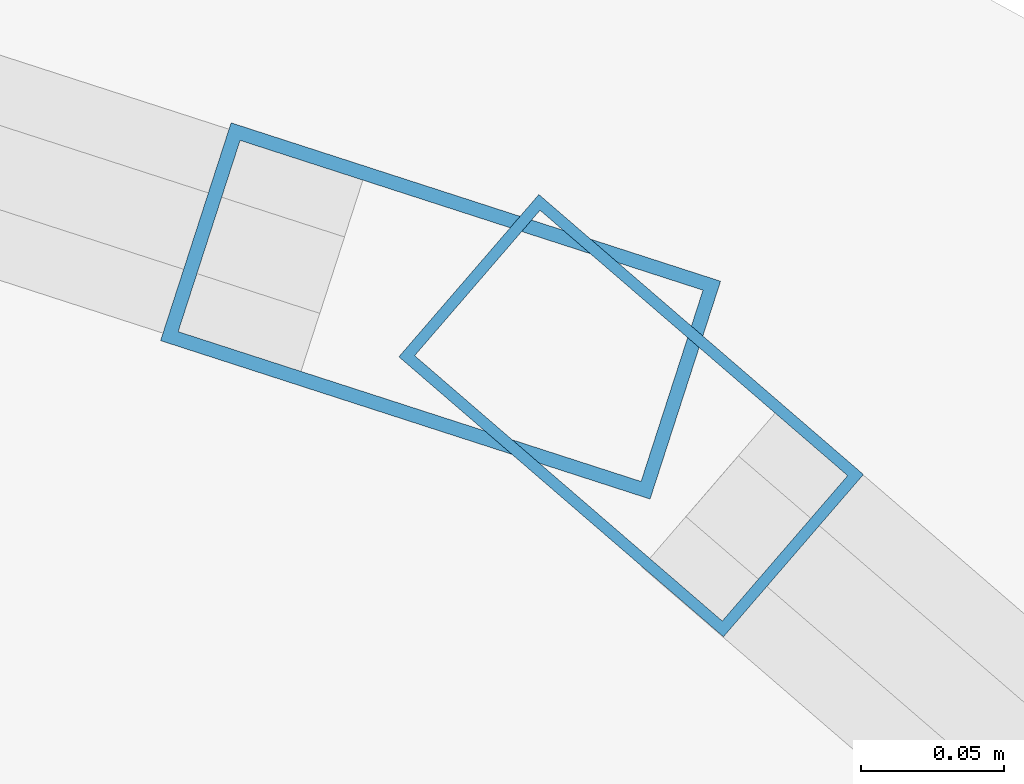
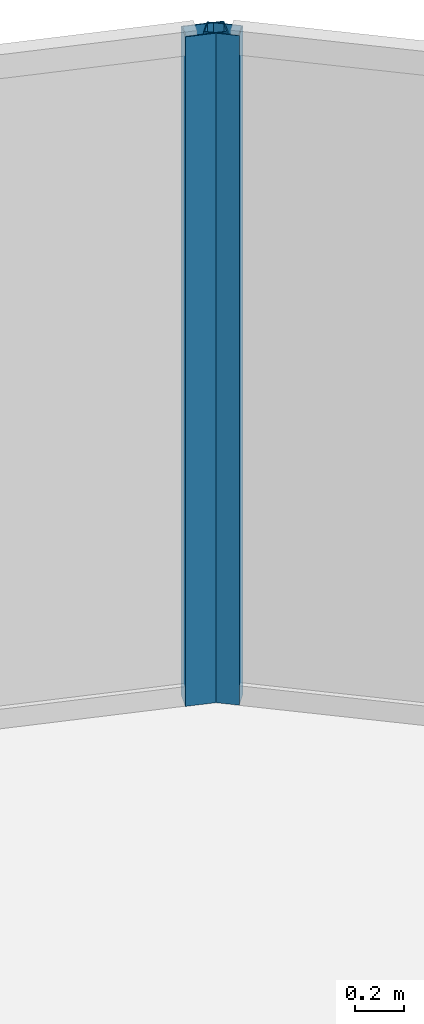
# One storey, part 19 of 33: 2 members, 2 elements without a shape of their own.
"""IFC4 building model written with IfcOpenShell, lengths in metres."""

import ifcopenshell
import ifcopenshell.guid

model = None  # the IFC model being written
_history = None  # IfcOwnerHistory: only IFC2X3 demands one
_inside = {}  # id of a spatial element -> (the spatial element, [elements in it])
_under = {}  # id of a project, library or spatial element -> (it, [spatial elements below it])
_declared = {}  # id of a project -> (the project, [libraries it declares])
_typed = {}  # id of a type object -> (the type object, [elements of that type])
_made_of = {}  # id of a material, layer set ... -> (it, [elements and type objects made of it])


def new_model(schema):
    """Start an empty IFC model of exactly this schema.

    Asked for "IFC4X3", IfcOpenShell would pick the latest addendum, in which some entities
    have other attributes; the version numbers below select the first issue.
    IFC2X3 requires an IfcOwnerHistory on every rooted entity: one is made here for all.
    """
    global model, _history
    if schema == "IFC4X3":
        model = ifcopenshell.file(schema_version=(4, 3, 0, 0))
    else:
        model = ifcopenshell.file(schema=schema)
    _inside.clear()
    _under.clear()
    _declared.clear()
    _typed.clear()
    _made_of.clear()
    _history = None
    if model.schema == "IFC2X3":
        org = make("IfcOrganization", Name="unknown")
        user = make(
            "IfcPersonAndOrganization",
            ThePerson=make("IfcPerson", FamilyName="unknown"),
            TheOrganization=org,
        )
        app = make(
            "IfcApplication",
            ApplicationDeveloper=org,
            Version="unknown",
            ApplicationFullName="unknown",
            ApplicationIdentifier="unknown",
        )
        _history = make(
            "IfcOwnerHistory",
            OwningUser=user,
            OwningApplication=app,
            ChangeAction="ADDED",
            CreationDate=0,
        )
    return model


def make(cls, **values):
    """One entity of the class cls with the attributes given. An attribute that is None is left unset."""
    return model.create_entity(
        cls, **{name: value for name, value in values.items() if value is not None}
    )


def rooted(cls, **values):
    """An entity with a GlobalId (a new one), such as an element, a storey or a relation."""
    return make(cls, GlobalId=ifcopenshell.guid.new(), OwnerHistory=_history, **values)


def si_unit(unit_type, name, prefix=None):
    """IfcSIUnit, for example si_unit("LENGTHUNIT", "METRE", prefix="MILLI")."""
    return make("IfcSIUnit", UnitType=unit_type, Prefix=prefix, Name=name)


def assignment(units):
    """IfcUnitAssignment: the units of a project."""
    return None if units is None else make("IfcUnitAssignment", Units=units)


def point(xyz):
    """IfcCartesianPoint."""
    return None if xyz is None else make("IfcCartesianPoint", Coordinates=xyz)


def direction(xyz):
    """IfcDirection."""
    return None if xyz is None else make("IfcDirection", DirectionRatios=xyz)


def frame(location, z_axis=None, x_axis=None):
    """IfcAxis2Placement3D, a coordinate frame: its origin and axes. An axis left out is left unset."""
    return make(
        "IfcAxis2Placement3D",
        Location=point(location),
        Axis=direction(z_axis),
        RefDirection=direction(x_axis),
    )


def frame_2d(location, x_axis=None):
    """IfcAxis2Placement2D, a coordinate frame in the plane: its origin and x axis."""
    return make(
        "IfcAxis2Placement2D", Location=point(location), RefDirection=direction(x_axis)
    )


def origin():
    """The frame at (0, 0, 0) with its axes left unset."""
    return frame((0.0, 0.0, 0.0))


def origin_2d():
    """The frame at (0, 0) in the plane with its x axis left unset."""
    return frame_2d((0.0, 0.0))


def place(relative_to, where):
    """IfcLocalPlacement: puts the frame where relative to a parent placement (None: the world)."""
    return make(
        "IfcLocalPlacement", PlacementRelTo=relative_to, RelativePlacement=where
    )


def context(
    kind, dimensions, precision=None, world=None, true_north=None, identifier=None
):
    """IfcGeometricRepresentationContext, for example the 3D "Model" context."""
    return make(
        "IfcGeometricRepresentationContext",
        ContextIdentifier=identifier,
        ContextType=kind,
        CoordinateSpaceDimension=dimensions,
        Precision=precision,
        WorldCoordinateSystem=world,
        TrueNorth=true_north,
    )


def subcontext(parent, identifier, kind, view, scale=None):
    """IfcGeometricRepresentationSubContext, for example "Body" below "Model"."""
    return make(
        "IfcGeometricRepresentationSubContext",
        ContextIdentifier=identifier,
        ContextType=kind,
        ParentContext=parent,
        TargetScale=scale,
        TargetView=view,
    )


def project(units=None, contexts=None):
    """IfcProject with its units and contexts."""
    return rooted(
        "IfcProject",
        Name="project",
        RepresentationContexts=contexts,
        UnitsInContext=assignment(units),
    )


def spatial(cls, under=None, at=None, **own):
    """A site, building, storey or space (cls), placed at a placement, below another one or the project."""
    s = rooted(cls, ObjectPlacement=at, **own)
    if under is not None:
        _under.setdefault(under.id(), (under, []))[1].append(s)
    return s


def profile(cls, at=None, kind="AREA", **sizes):
    """A parametric profile (cls). Its sizes go by their IFC names, for example OverallWidth=200.0."""
    return make(cls, ProfileType=kind, Position=at, **sizes)


def hollow_rectangle(**sizes):
    """IfcRectangleHollowProfileDef."""
    return profile("IfcRectangleHollowProfileDef", **sizes)


def extrude(swept, where, along, depth):
    """IfcExtrudedAreaSolid: the profile swept, set in the frame where, extruded along a direction by depth."""
    return make(
        "IfcExtrudedAreaSolid",
        SweptArea=swept,
        Position=where,
        ExtrudedDirection=direction(along),
        Depth=depth,
    )


def shape(context_of_items, identifier, shape_type, items):
    """IfcShapeRepresentation: the items that make up one representation, for example the "Body"."""
    return make(
        "IfcShapeRepresentation",
        ContextOfItems=context_of_items,
        RepresentationIdentifier=identifier,
        RepresentationType=shape_type,
        Items=items,
    )


def material(Name=None, Category=None):
    """IfcMaterial."""
    return make("IfcMaterial", Name=Name, Category=Category)


def layer(
    of_material, thickness, ventilated=None, Name=None, Category=None, Priority=None
):
    """IfcMaterialLayer: one layer of a wall or slab, of a material (None: an air gap)."""
    return make(
        "IfcMaterialLayer",
        Material=of_material,
        LayerThickness=thickness,
        IsVentilated=ventilated,
        Name=Name,
        Category=Category,
        Priority=Priority,
    )


def layer_set(layers, Name=None):
    """IfcMaterialLayerSet."""
    return make("IfcMaterialLayerSet", MaterialLayers=layers, LayerSetName=Name)


def material_profile(
    of_material, cross_section, Name=None, Category=None, Priority=None
):
    """IfcMaterialProfile: a cross section and its material."""
    return make(
        "IfcMaterialProfile",
        Name=Name,
        Material=of_material,
        Profile=cross_section,
        Priority=Priority,
        Category=Category,
    )


def profile_set(profiles, Name=None, composite=None):
    """IfcMaterialProfileSet."""
    return make(
        "IfcMaterialProfileSet",
        Name=Name,
        MaterialProfiles=profiles,
        CompositeProfile=composite,
    )


def made_of(thing, what):
    """Note that an element or type object is made of a material, layer set ...; save() writes the relation."""
    if what is not None:
        _made_of.setdefault(what.id(), (what, []))[1].append(thing)
    return thing


def type_object(cls, material=None, **own):
    """A type object (cls), such as IfcWallType, which elements share."""
    return made_of(rooted(cls, **own), material)


def element(
    cls,
    number,
    at=None,
    inside=None,
    cuts=None,
    type_object=None,
    material=None,
    context=None,
    identifier="Body",
    shape_type=None,
    held_by="IfcProductDefinitionShape",
    body=None,
    shapes=None,
    **own,
):
    """One element of the class cls, such as IfcWall. Its Tag is "e" and its number.

    at: its placement. inside: the storey or other place that contains it. cuts: it is an
    opening in that element (IfcRelVoidsElement). A single representation is given by context,
    identifier, shape_type and body (its items); several are given by shapes. held_by: the class
    of the entity that holds the representations. save() writes the other relations.
    """
    e = rooted(cls, Tag="e%d" % number, ObjectPlacement=at, **own)
    if body is not None:
        shapes = [shape(context, identifier, shape_type, body)]
    if shapes is not None:
        e.Representation = make(held_by, Representations=shapes)
    if inside is not None:
        _inside.setdefault(inside.id(), (inside, []))[1].append(e)
    if cuts is not None:
        rooted(
            "IfcRelVoidsElement", RelatingBuildingElement=cuts, RelatedOpeningElement=e
        )
    if type_object is not None:
        _typed.setdefault(type_object.id(), (type_object, []))[1].append(e)
    return made_of(e, material)


def aggregate(whole, parts):
    """IfcRelAggregates: a whole, such as a stair, and the parts it consists of."""
    return rooted("IfcRelAggregates", RelatingObject=whole, RelatedObjects=parts)


def save(model, path):
    """Write the relations noted so far, then the file.

    IfcRelAggregates (storeys below a building ...), IfcRelContainedInSpatialStructure (elements
    in a storey), IfcRelDefinesByType, IfcRelAssociatesMaterial and IfcRelDeclares: one each for
    every whole, place, type object, material and project.
    """
    for whole, parts in _under.values():
        aggregate(whole, parts)
    for where, things in _inside.values():
        rooted(
            "IfcRelContainedInSpatialStructure",
            RelatedElements=things,
            RelatingStructure=where,
        )
    for kind, things in _typed.values():
        rooted("IfcRelDefinesByType", RelatedObjects=things, RelatingType=kind)
    for what, things in _made_of.values():
        rooted("IfcRelAssociatesMaterial", RelatedObjects=things, RelatingMaterial=what)
    for by, libraries in _declared.values():
        rooted("IfcRelDeclares", RelatingContext=by, RelatedDefinitions=libraries)
    model.write(path)


model = new_model("IFC4")

# Units and contexts
model_context = context("Model", 3, precision=1e-05, world=origin(), true_north=direction((0.0, 1.0)))
body_context = subcontext(model_context, "Body", "Model", "MODEL_VIEW")
ifc_project = project(units=[si_unit("LENGTHUNIT", "METRE"), si_unit("AREAUNIT", "SQUARE_METRE"), si_unit("VOLUMEUNIT", "CUBIC_METRE"), si_unit("PLANEANGLEUNIT", "RADIAN"), si_unit("MASSUNIT", "GRAM", prefix="KILO")], contexts=[model_context])

# Site, building, storey
site_placement = place(None, origin())
site = spatial("IfcSite", under=ifc_project, at=site_placement, CompositionType="ELEMENT")
building_placement = place(site_placement, origin())
building = spatial("IfcBuilding", under=site, at=building_placement, Name="Kazevale Care Tower and Concert Hall", CompositionType="ELEMENT")
storey_placement = place(building_placement, frame((0.0, 0.0, 31.199951171875)))
storey = spatial("IfcBuildingStorey", under=building, at=storey_placement, Name="L07", CompositionType="ELEMENT", Elevation=31.199951171875)

# Curtain wall, member
ifc_material_1 = material(Name="Aluminium 6063-T6 and Low-E Glass", Category="aluminium")
ifc_layer_1 = layer(ifc_material_1, 0.179931640625)
ifc_layer_set_1 = layer_set([ifc_layer_1], Name="Aluminium 6063-T6 and Low-E Glass")
curtain_wall_type_1 = type_object("IfcCurtainWallType", Name="Convex Checkerboard Finned Curtain Wall CW-2", PredefinedType="NOTDEFINED", material=ifc_layer_set_1)
curtain_wall_1_placement = place(storey_placement, origin())
curtain_wall_1 = element("IfcCurtainWall", 1, at=curtain_wall_1_placement, inside=storey, type_object=curtain_wall_type_1, Name="cw:L07:f16", PredefinedType="NOTDEFINED")
ifc_material_2 = material(Name="Aluminium 6063-T6", Category="aluminium")
ifc_material_profile_1 = material_profile(ifc_material_2, hollow_rectangle(XDim=0.080078125, YDim=0.179931640625, WallThickness=0.0048828125, at=origin_2d()), Name="ALU80x180x5")
ifc_profile_set_1 = profile_set([ifc_material_profile_1], Name="Aluminium 6063-T6")
member_type_1 = type_object("IfcMemberType", Name="CW-2 Mullion ALU80x180x5", PredefinedType="MULLION", material=ifc_profile_set_1)
member_1_placement = place(storey_placement, frame((63.891845703125, 61.240234375, 0.0), z_axis=(0.0, 0.0, 1.0), x_axis=(0.307925769029, 0.951410385043, 0.0)))
member_1 = element("IfcMember", 2, at=member_1_placement, type_object=member_type_1, Name="CW-2 mullion 2", PredefinedType="MULLION", context=body_context, shape_type="SweptSolid", body=[
    extrude(hollow_rectangle(XDim=0.080078125, YDim=0.179931640625, WallThickness=0.0048828125, at=origin_2d()), origin(), (0.0, 0.0, 1.0), 3.360107421875),
])
aggregate(curtain_wall_1, [member_1])

ifc_layer_2 = layer(ifc_material_1, 0.179931640625)
ifc_layer_set_2 = layer_set([ifc_layer_2], Name="Aluminium 6063-T6 and Low-E Glass")
curtain_wall_type_2 = type_object("IfcCurtainWallType", Name="Convex Recessed Sunroom Curtain Wall CW-3", PredefinedType="NOTDEFINED", material=ifc_layer_set_2)
curtain_wall_2_placement = place(storey_placement, origin())
curtain_wall_2 = element("IfcCurtainWall", 3, at=curtain_wall_2_placement, inside=storey, type_object=curtain_wall_type_2, Name="cw:L07:f17", PredefinedType="NOTDEFINED")
ifc_material_profile_2 = material_profile(ifc_material_2, hollow_rectangle(XDim=0.074951171875, YDim=0.14990234375, WallThickness=0.00390625, at=origin_2d()), Name="ALU75x150x4")
ifc_profile_set_2 = profile_set([ifc_material_profile_2], Name="Aluminium 6063-T6")
member_type_2 = type_object("IfcMemberType", Name="CW-3 Mullion ALU75x150x4", PredefinedType="MULLION", material=ifc_profile_set_2)
member_2_placement = place(storey_placement, frame((63.95849609375, 61.20361328125, 0.0), z_axis=(0.0, 0.0, 1.0), x_axis=(0.653183596561, 0.757199570248, 0.0)))
member_2 = element("IfcMember", 4, at=member_2_placement, type_object=member_type_2, Name="CW-3 mullion 1", PredefinedType="MULLION", context=body_context, shape_type="SweptSolid", body=[
    extrude(hollow_rectangle(XDim=0.074951171875, YDim=0.14990234375, WallThickness=0.00390625, at=origin_2d()), origin(), (0.0, 0.0, 1.0), 3.360107421875),
])
aggregate(curtain_wall_2, [member_2])

save(model, "model.ifc")
